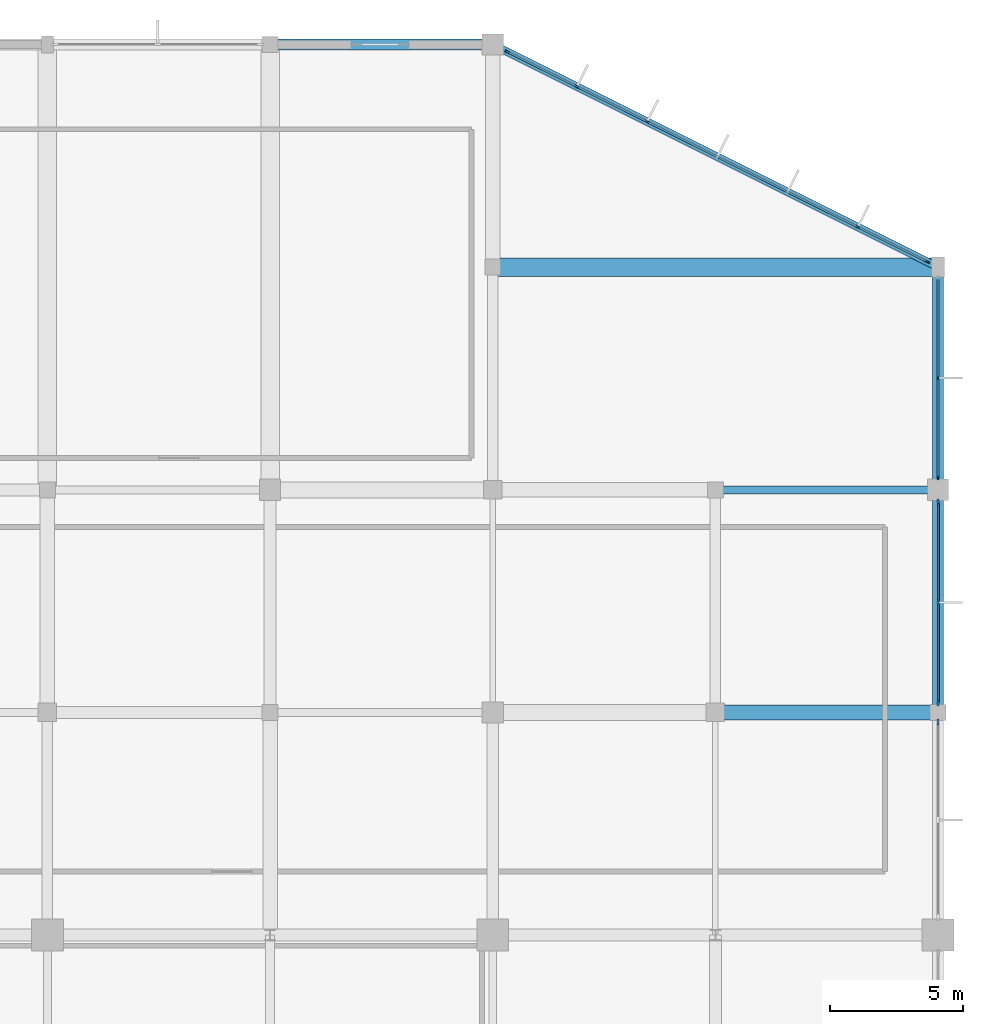
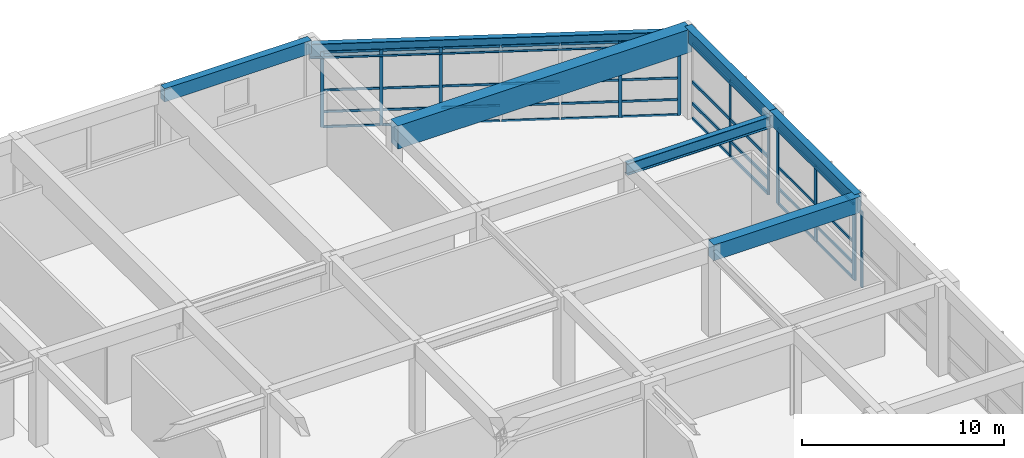
# One storey, part 35 of 62: 51 members, 7 beams, 4 elements without a shape of their own.
"""IFC4 building model written with IfcOpenShell, lengths in metres."""

from ifc_helpers import new_model, si_unit, direction, frame, origin, origin_2d, place, context, subcontext, project, spatial, rectangle, i_section, extrude, material, material_profile, profile_set, type_object, element, aggregate, save


model = new_model("IFC4")

# Units and contexts
model_context = context("Model", 3, precision=1e-05, world=origin(), true_north=direction((0.0, 1.0)))
body_context = subcontext(model_context, "Body", "Model", "MODEL_VIEW")
ifc_project = project(units=[si_unit("LENGTHUNIT", "METRE"), si_unit("AREAUNIT", "SQUARE_METRE"), si_unit("VOLUMEUNIT", "CUBIC_METRE"), si_unit("PLANEANGLEUNIT", "RADIAN"), si_unit("MASSUNIT", "GRAM", prefix="KILO")], contexts=[model_context])

# Site, building, storey
site_placement = place(None, origin())
site = spatial("IfcSite", under=ifc_project, at=site_placement, CompositionType="ELEMENT")
building_placement = place(site_placement, origin())
building = spatial("IfcBuilding", under=site, at=building_placement, Name="Xuanlan Plaza Opera House", CompositionType="ELEMENT")
storey_placement = place(building_placement, origin())
storey = spatial("IfcBuildingStorey", under=building, at=storey_placement, Name="L00", CompositionType="ELEMENT", Elevation=0.0)

# Curtain wall, members
ifc_material_1 = material(Name="Anodised Aluminium 6063-T6 and Low-E Glass", Category="aluminium")
curtain_wall_type_1 = type_object("IfcCurtainWallType", Name="ENV-CW-CW-03", PredefinedType="USERDEFINED", material=ifc_material_1)
curtain_wall_1_placement = place(storey_placement, origin())
curtain_wall_1 = element("IfcCurtainWall", 1, at=curtain_wall_1_placement, inside=storey, type_object=curtain_wall_type_1, Name="Unitised Curtain Wall L00-029", ObjectType="UNITISED CURTAIN WALL", PredefinedType="USERDEFINED")
ifc_material_2 = material(Name="Anodised Aluminium 6063-T6", Category="aluminium")
ifc_material_profile_1 = material_profile(ifc_material_2, rectangle(XDim=0.06494140625, YDim=0.159912109375, at=origin_2d()), Name="ALU-M 65x160")
ifc_profile_set_1 = profile_set([ifc_material_profile_1], Name="Anodised Aluminium 6063-T6")
member_type_1 = type_object("IfcMemberType", Name="ENV-CWM-01", PredefinedType="MULLION", material=ifc_profile_set_1)
member_1_placement = place(storey_placement, frame((168.0, 101.25244140625, 0.0), z_axis=(0.0, 0.0, 1.0), x_axis=(-1.0, 0.0, 0.0)))
member_1 = element("IfcMember", 2, at=member_1_placement, type_object=member_type_1, Name="CW-03 mullion 1", PredefinedType="MULLION", context=body_context, shape_type="SweptSolid", body=[
    extrude(rectangle(XDim=0.06494140625, YDim=0.159912109375, at=origin_2d()), origin(), (0.0, 0.0, 1.0), 4.580078125),
])
member_2_placement = place(storey_placement, frame((168.0, 105.012451171875, 0.0), z_axis=(0.0, 0.0, 1.0), x_axis=(-1.0, 0.0, 0.0)))
member_2 = element("IfcMember", 3, at=member_2_placement, type_object=member_type_1, Name="CW-03 mullion 2", PredefinedType="MULLION", context=body_context, shape_type="SweptSolid", body=[
    extrude(rectangle(XDim=0.06494140625, YDim=0.159912109375, at=origin_2d()), origin(), (0.0, 0.0, 1.0), 4.580078125),
])

curtain_wall_type_2 = type_object("IfcCurtainWallType", Name="ENV-CW-CW-04", PredefinedType="USERDEFINED", material=ifc_material_1)
curtain_wall_2_placement = place(storey_placement, origin())
curtain_wall_2 = element("IfcCurtainWall", 4, at=curtain_wall_2_placement, inside=storey, type_object=curtain_wall_type_2, Name="Unitised Curtain Wall L00-030", ObjectType="UNITISED CURTAIN WALL", PredefinedType="USERDEFINED")
ifc_material_profile_2 = material_profile(ifc_material_2, rectangle(XDim=0.070068359375, YDim=0.179931640625, at=origin_2d()), Name="ALU-M 70x180")
ifc_profile_set_2 = profile_set([ifc_material_profile_2], Name="Anodised Aluminium 6063-T6")
member_type_2 = type_object("IfcMemberType", Name="ENV-CWM-02", PredefinedType="MULLION", material=ifc_profile_set_2)
member_3_placement = place(storey_placement, frame((167.593505859375, 109.4033203125, 0.0), z_axis=(0.0, 0.0, 1.0), x_axis=(-0.447213595499, -0.894427191001, 0.0)))
member_3 = element("IfcMember", 5, at=member_3_placement, type_object=member_type_2, Name="CW-04 mullion 1", PredefinedType="MULLION", context=body_context, shape_type="SweptSolid", body=[
    extrude(rectangle(XDim=0.070068359375, YDim=0.179931640625, at=origin_2d()), origin(), (0.0, 0.0, 1.0), 4.580078125),
])
member_4_placement = place(storey_placement, frame((164.974853515625, 110.712646484375, 0.0), z_axis=(0.0, 0.0, 1.0), x_axis=(-0.447213595499, -0.894427191001, 0.0)))
member_4 = element("IfcMember", 6, at=member_4_placement, type_object=member_type_2, Name="CW-04 mullion 2", PredefinedType="MULLION", context=body_context, shape_type="SweptSolid", body=[
    extrude(rectangle(XDim=0.070068359375, YDim=0.179931640625, at=origin_2d()), origin(), (0.0, 0.0, 1.0), 4.580078125),
])
member_5_placement = place(storey_placement, frame((157.025146484375, 114.6875, 0.0), z_axis=(0.0, 0.0, 1.0), x_axis=(-0.447213595499, -0.894427191001, 0.0)))
member_5 = element("IfcMember", 7, at=member_5_placement, type_object=member_type_2, Name="CW-04 mullion 5", PredefinedType="MULLION", context=body_context, shape_type="SweptSolid", body=[
    extrude(rectangle(XDim=0.070068359375, YDim=0.179931640625, at=origin_2d()), origin(), (0.0, 0.0, 1.0), 4.580078125),
])
member_6_placement = place(storey_placement, frame((154.375244140625, 116.012451171875, 0.0), z_axis=(0.0, 0.0, 1.0), x_axis=(-0.447213595499, -0.894427191001, 0.0)))
member_6 = element("IfcMember", 8, at=member_6_placement, type_object=member_type_2, Name="CW-04 mullion 6", PredefinedType="MULLION", context=body_context, shape_type="SweptSolid", body=[
    extrude(rectangle(XDim=0.070068359375, YDim=0.179931640625, at=origin_2d()), origin(), (0.0, 0.0, 1.0), 4.580078125),
])
member_7_placement = place(storey_placement, frame((151.756591796875, 117.32177734375, 0.0), z_axis=(0.0, 0.0, 1.0), x_axis=(-0.447213595499, -0.894427191001, 0.0)))
member_7 = element("IfcMember", 9, at=member_7_placement, type_object=member_type_2, Name="CW-04 mullion 7", PredefinedType="MULLION", context=body_context, shape_type="SweptSolid", body=[
    extrude(rectangle(XDim=0.070068359375, YDim=0.179931640625, at=origin_2d()), origin(), (0.0, 0.0, 1.0), 4.580078125),
])

# Curtain wall, member
curtain_wall_type_3 = type_object("IfcCurtainWallType", Name="ENV-CW-CW-01", PredefinedType="USERDEFINED", material=ifc_material_1)
curtain_wall_3_placement = place(storey_placement, origin())
curtain_wall_3 = element("IfcCurtainWall", 10, at=curtain_wall_3_placement, inside=storey, type_object=curtain_wall_type_3, Name="Unitised Curtain Wall L00-027", ObjectType="UNITISED CURTAIN WALL", PredefinedType="USERDEFINED")
ifc_material_profile_3 = material_profile(ifc_material_2, rectangle(XDim=0.080078125, YDim=0.219970703125, at=origin_2d()), Name="ALU-M 80x220")
ifc_profile_set_3 = profile_set([ifc_material_profile_3], Name="Anodised Aluminium 6063-T6")
member_type_3 = type_object("IfcMemberType", Name="ENV-CWM-04", PredefinedType="MULLION", material=ifc_profile_set_3)
member_8_placement = place(storey_placement, frame((168.0, 92.0400390625, 0.0), z_axis=(0.0, 0.0, 1.0), x_axis=(-1.0, 0.0, 0.0)))
member_8 = element("IfcMember", 11, at=member_8_placement, type_object=member_type_3, Name="CW-01 mullion 3", PredefinedType="MULLION", context=body_context, shape_type="SweptSolid", body=[
    extrude(rectangle(XDim=0.080078125, YDim=0.219970703125, at=origin_2d()), origin(), (0.0, 0.0, 1.0), 4.580078125),
])
aggregate(curtain_wall_3, [member_8])

# Curtain wall, members
curtain_wall_type_4 = type_object("IfcCurtainWallType", Name="ENV-CW-CW-02", PredefinedType="USERDEFINED", material=ifc_material_1)
curtain_wall_4_placement = place(storey_placement, origin())
curtain_wall_4 = element("IfcCurtainWall", 12, at=curtain_wall_4_placement, inside=storey, type_object=curtain_wall_type_4, Name="Unitised Curtain Wall L00-028", ObjectType="UNITISED CURTAIN WALL", PredefinedType="USERDEFINED")
ifc_material_profile_4 = material_profile(ifc_material_2, rectangle(XDim=0.090087890625, YDim=0.25, at=origin_2d()), Name="ALU-M 90x250")
ifc_profile_set_4 = profile_set([ifc_material_profile_4], Name="Anodised Aluminium 6063-T6")
member_type_4 = type_object("IfcMemberType", Name="ENV-CWM-05", PredefinedType="MULLION", material=ifc_profile_set_4)
member_9_placement = place(storey_placement, frame((168.0, 92.764892578125, 0.0), z_axis=(0.0, 0.0, 1.0), x_axis=(-1.0, 0.0, 0.0)))
member_9 = element("IfcMember", 13, at=member_9_placement, type_object=member_type_4, Name="CW-02 mullion 1", PredefinedType="MULLION", context=body_context, shape_type="SweptSolid", body=[
    extrude(rectangle(XDim=0.090087890625, YDim=0.25, at=origin_2d()), origin(), (0.0, 0.0, 1.0), 4.580078125),
])
member_10_placement = place(storey_placement, frame((168.0, 96.550048828125, 0.0), z_axis=(0.0, 0.0, 1.0), x_axis=(-1.0, 0.0, 0.0)))
member_10 = element("IfcMember", 14, at=member_10_placement, type_object=member_type_4, Name="CW-02 mullion 2", PredefinedType="MULLION", context=body_context, shape_type="SweptSolid", body=[
    extrude(rectangle(XDim=0.090087890625, YDim=0.25, at=origin_2d()), origin(), (0.0, 0.0, 1.0), 4.580078125),
])
member_11_placement = place(storey_placement, frame((168.0, 100.3349609375, 0.0), z_axis=(0.0, 0.0, 1.0), x_axis=(-1.0, 0.0, 0.0)))
member_11 = element("IfcMember", 15, at=member_11_placement, type_object=member_type_4, Name="CW-02 mullion 3", PredefinedType="MULLION", context=body_context, shape_type="SweptSolid", body=[
    extrude(rectangle(XDim=0.090087890625, YDim=0.25, at=origin_2d()), origin(), (0.0, 0.0, 1.0), 4.580078125),
])

# Member
ifc_material_profile_5 = material_profile(ifc_material_2, rectangle(XDim=0.070068359375, YDim=0.135009765625, at=origin_2d()), Name="ALU-T 70x135")
ifc_profile_set_5 = profile_set([ifc_material_profile_5], Name="Anodised Aluminium 6063-T6")
member_type_5 = type_object("IfcMemberType", Name="ENV-CWT-02", PredefinedType="USERDEFINED", material=ifc_profile_set_5)
member_12_placement = place(storey_placement, frame((167.562255859375, 109.4189453125, 0.034912109375), z_axis=(-0.894427191, 0.4472135955, 0.0), x_axis=(-0.4472135955, -0.894427191, 0.0)))
member_12 = element("IfcMember", 16, at=member_12_placement, type_object=member_type_5, Name="CW-04 transom 1.1", ObjectType="TRANSOM", PredefinedType="USERDEFINED", context=body_context, shape_type="SweptSolid", body=[
    extrude(rectangle(XDim=0.070068359375, YDim=0.135009765625, at=origin_2d()), origin(), (0.0, 0.0, 1.0), 2.85791015625),
])

member_13_placement = place(storey_placement, frame((167.562255859375, 109.4189453125, 0.949951171875), z_axis=(-0.894427191, 0.4472135955, 0.0), x_axis=(-0.4472135955, -0.894427191, 0.0)))
member_13 = element("IfcMember", 17, at=member_13_placement, type_object=member_type_5, Name="CW-04 transom 1.2", ObjectType="TRANSOM", PredefinedType="USERDEFINED", context=body_context, shape_type="SweptSolid", body=[
    extrude(rectangle(XDim=0.070068359375, YDim=0.135009765625, at=origin_2d()), origin(), (0.0, 0.0, 1.0), 2.85791015625),
])

member_14_placement = place(storey_placement, frame((167.562255859375, 109.4189453125, 2.25), z_axis=(-0.894427191, 0.4472135955, 0.0), x_axis=(-0.4472135955, -0.894427191, 0.0)))
member_14 = element("IfcMember", 18, at=member_14_placement, type_object=member_type_5, Name="CW-04 transom 1.3", ObjectType="TRANSOM", PredefinedType="USERDEFINED", context=body_context, shape_type="SweptSolid", body=[
    extrude(rectangle(XDim=0.070068359375, YDim=0.135009765625, at=origin_2d()), origin(), (0.0, 0.0, 1.0), 2.85791015625),
])

member_15_placement = place(storey_placement, frame((167.562255859375, 109.4189453125, 4.544921875), z_axis=(-0.894427191, 0.4472135955, 0.0), x_axis=(-0.4472135955, -0.894427191, 0.0)))
member_15 = element("IfcMember", 19, at=member_15_placement, type_object=member_type_5, Name="CW-04 transom 1.4", ObjectType="TRANSOM", PredefinedType="USERDEFINED", context=body_context, shape_type="SweptSolid", body=[
    extrude(rectangle(XDim=0.070068359375, YDim=0.135009765625, at=origin_2d()), origin(), (0.0, 0.0, 1.0), 2.85791015625),
])

member_16_placement = place(storey_placement, frame((164.943603515625, 110.728271484375, 0.034912109375), z_axis=(-0.894427191, 0.4472135955, 0.0), x_axis=(-0.4472135955, -0.894427191, 0.0)))
member_16 = element("IfcMember", 20, at=member_16_placement, type_object=member_type_5, Name="CW-04 transom 2.1", ObjectType="TRANSOM", PredefinedType="USERDEFINED", context=body_context, shape_type="SweptSolid", body=[
    extrude(rectangle(XDim=0.070068359375, YDim=0.135009765625, at=origin_2d()), origin(), (0.0, 0.0, 1.0), 2.892822265625),
])

member_17_placement = place(storey_placement, frame((164.943603515625, 110.728271484375, 0.949951171875), z_axis=(-0.894427191, 0.4472135955, 0.0), x_axis=(-0.4472135955, -0.894427191, 0.0)))
member_17 = element("IfcMember", 21, at=member_17_placement, type_object=member_type_5, Name="CW-04 transom 2.2", ObjectType="TRANSOM", PredefinedType="USERDEFINED", context=body_context, shape_type="SweptSolid", body=[
    extrude(rectangle(XDim=0.070068359375, YDim=0.135009765625, at=origin_2d()), origin(), (0.0, 0.0, 1.0), 2.892822265625),
])

member_18_placement = place(storey_placement, frame((164.943603515625, 110.728271484375, 2.25), z_axis=(-0.894427191, 0.4472135955, 0.0), x_axis=(-0.4472135955, -0.894427191, 0.0)))
member_18 = element("IfcMember", 22, at=member_18_placement, type_object=member_type_5, Name="CW-04 transom 2.3", ObjectType="TRANSOM", PredefinedType="USERDEFINED", context=body_context, shape_type="SweptSolid", body=[
    extrude(rectangle(XDim=0.070068359375, YDim=0.135009765625, at=origin_2d()), origin(), (0.0, 0.0, 1.0), 2.892822265625),
])

member_19_placement = place(storey_placement, frame((164.943603515625, 110.728271484375, 4.544921875), z_axis=(-0.894427191, 0.4472135955, 0.0), x_axis=(-0.4472135955, -0.894427191, 0.0)))
member_19 = element("IfcMember", 23, at=member_19_placement, type_object=member_type_5, Name="CW-04 transom 2.4", ObjectType="TRANSOM", PredefinedType="USERDEFINED", context=body_context, shape_type="SweptSolid", body=[
    extrude(rectangle(XDim=0.070068359375, YDim=0.135009765625, at=origin_2d()), origin(), (0.0, 0.0, 1.0), 2.892822265625),
])

member_20_placement = place(storey_placement, frame((162.293701171875, 112.05322265625, 0.034912109375), z_axis=(-0.894427191, 0.4472135955, 0.0), x_axis=(-0.4472135955, -0.894427191, 0.0)))
member_20 = element("IfcMember", 24, at=member_20_placement, type_object=member_type_5, Name="CW-04 transom 3.1", ObjectType="TRANSOM", PredefinedType="USERDEFINED", context=body_context, shape_type="SweptSolid", body=[
    extrude(rectangle(XDim=0.070068359375, YDim=0.135009765625, at=origin_2d()), origin(), (0.0, 0.0, 1.0), 2.892822265625),
])

member_21_placement = place(storey_placement, frame((162.293701171875, 112.05322265625, 0.949951171875), z_axis=(-0.894427191, 0.4472135955, 0.0), x_axis=(-0.4472135955, -0.894427191, 0.0)))
member_21 = element("IfcMember", 25, at=member_21_placement, type_object=member_type_5, Name="CW-04 transom 3.2", ObjectType="TRANSOM", PredefinedType="USERDEFINED", context=body_context, shape_type="SweptSolid", body=[
    extrude(rectangle(XDim=0.070068359375, YDim=0.135009765625, at=origin_2d()), origin(), (0.0, 0.0, 1.0), 2.892822265625),
])

member_22_placement = place(storey_placement, frame((162.293701171875, 112.05322265625, 2.25), z_axis=(-0.894427191, 0.4472135955, 0.0), x_axis=(-0.4472135955, -0.894427191, 0.0)))
member_22 = element("IfcMember", 26, at=member_22_placement, type_object=member_type_5, Name="CW-04 transom 3.3", ObjectType="TRANSOM", PredefinedType="USERDEFINED", context=body_context, shape_type="SweptSolid", body=[
    extrude(rectangle(XDim=0.070068359375, YDim=0.135009765625, at=origin_2d()), origin(), (0.0, 0.0, 1.0), 2.892822265625),
])

member_23_placement = place(storey_placement, frame((162.293701171875, 112.05322265625, 4.544921875), z_axis=(-0.894427191, 0.4472135955, 0.0), x_axis=(-0.4472135955, -0.894427191, 0.0)))
member_23 = element("IfcMember", 27, at=member_23_placement, type_object=member_type_5, Name="CW-04 transom 3.4", ObjectType="TRANSOM", PredefinedType="USERDEFINED", context=body_context, shape_type="SweptSolid", body=[
    extrude(rectangle(XDim=0.070068359375, YDim=0.135009765625, at=origin_2d()), origin(), (0.0, 0.0, 1.0), 2.892822265625),
])

member_24_placement = place(storey_placement, frame((159.643798828125, 113.378173828125, 0.034912109375), z_axis=(-0.894427191, 0.4472135955, 0.0), x_axis=(-0.4472135955, -0.894427191, 0.0)))
member_24 = element("IfcMember", 28, at=member_24_placement, type_object=member_type_5, Name="CW-04 transom 4.1", ObjectType="TRANSOM", PredefinedType="USERDEFINED", context=body_context, shape_type="SweptSolid", body=[
    extrude(rectangle(XDim=0.070068359375, YDim=0.135009765625, at=origin_2d()), origin(), (0.0, 0.0, 1.0), 2.892822265625),
])

member_25_placement = place(storey_placement, frame((159.643798828125, 113.378173828125, 0.949951171875), z_axis=(-0.894427191, 0.4472135955, 0.0), x_axis=(-0.4472135955, -0.894427191, 0.0)))
member_25 = element("IfcMember", 29, at=member_25_placement, type_object=member_type_5, Name="CW-04 transom 4.2", ObjectType="TRANSOM", PredefinedType="USERDEFINED", context=body_context, shape_type="SweptSolid", body=[
    extrude(rectangle(XDim=0.070068359375, YDim=0.135009765625, at=origin_2d()), origin(), (0.0, 0.0, 1.0), 2.892822265625),
])

member_26_placement = place(storey_placement, frame((159.643798828125, 113.378173828125, 2.25), z_axis=(-0.894427191, 0.4472135955, 0.0), x_axis=(-0.4472135955, -0.894427191, 0.0)))
member_26 = element("IfcMember", 30, at=member_26_placement, type_object=member_type_5, Name="CW-04 transom 4.3", ObjectType="TRANSOM", PredefinedType="USERDEFINED", context=body_context, shape_type="SweptSolid", body=[
    extrude(rectangle(XDim=0.070068359375, YDim=0.135009765625, at=origin_2d()), origin(), (0.0, 0.0, 1.0), 2.892822265625),
])

member_27_placement = place(storey_placement, frame((159.643798828125, 113.378173828125, 4.544921875), z_axis=(-0.894427191, 0.4472135955, 0.0), x_axis=(-0.4472135955, -0.894427191, 0.0)))
member_27 = element("IfcMember", 31, at=member_27_placement, type_object=member_type_5, Name="CW-04 transom 4.4", ObjectType="TRANSOM", PredefinedType="USERDEFINED", context=body_context, shape_type="SweptSolid", body=[
    extrude(rectangle(XDim=0.070068359375, YDim=0.135009765625, at=origin_2d()), origin(), (0.0, 0.0, 1.0), 2.892822265625),
])

member_28_placement = place(storey_placement, frame((156.99365234375, 114.703125, 0.034912109375), z_axis=(-0.894410309919, 0.447247356069, 0.0), x_axis=(-0.447247356069, -0.894410309919, 0.0)))
member_28 = element("IfcMember", 32, at=member_28_placement, type_object=member_type_5, Name="CW-04 transom 5.1", ObjectType="TRANSOM", PredefinedType="USERDEFINED", context=body_context, shape_type="SweptSolid", body=[
    extrude(rectangle(XDim=0.070068359375, YDim=0.135009765625, at=origin_2d()), origin(), (0.0, 0.0, 1.0), 2.892578125),
])

member_29_placement = place(storey_placement, frame((156.99365234375, 114.703125, 0.949951171875), z_axis=(-0.894410309919, 0.447247356069, 0.0), x_axis=(-0.447247356069, -0.894410309919, 0.0)))
member_29 = element("IfcMember", 33, at=member_29_placement, type_object=member_type_5, Name="CW-04 transom 5.2", ObjectType="TRANSOM", PredefinedType="USERDEFINED", context=body_context, shape_type="SweptSolid", body=[
    extrude(rectangle(XDim=0.070068359375, YDim=0.135009765625, at=origin_2d()), origin(), (0.0, 0.0, 1.0), 2.892578125),
])

member_30_placement = place(storey_placement, frame((156.99365234375, 114.703125, 2.25), z_axis=(-0.894410309919, 0.447247356069, 0.0), x_axis=(-0.447247356069, -0.894410309919, 0.0)))
member_30 = element("IfcMember", 34, at=member_30_placement, type_object=member_type_5, Name="CW-04 transom 5.3", ObjectType="TRANSOM", PredefinedType="USERDEFINED", context=body_context, shape_type="SweptSolid", body=[
    extrude(rectangle(XDim=0.070068359375, YDim=0.135009765625, at=origin_2d()), origin(), (0.0, 0.0, 1.0), 2.892578125),
])

member_31_placement = place(storey_placement, frame((156.99365234375, 114.703125, 4.544921875), z_axis=(-0.894410309919, 0.447247356069, 0.0), x_axis=(-0.447247356069, -0.894410309919, 0.0)))
member_31 = element("IfcMember", 35, at=member_31_placement, type_object=member_type_5, Name="CW-04 transom 5.4", ObjectType="TRANSOM", PredefinedType="USERDEFINED", context=body_context, shape_type="SweptSolid", body=[
    extrude(rectangle(XDim=0.070068359375, YDim=0.135009765625, at=origin_2d()), origin(), (0.0, 0.0, 1.0), 2.892578125),
])

member_32_placement = place(storey_placement, frame((154.34375, 116.028076171875, 0.034912109375), z_axis=(-0.894410103517, 0.447247768833, 0.0), x_axis=(-0.447247768833, -0.894410103517, 0.0)))
member_32 = element("IfcMember", 36, at=member_32_placement, type_object=member_type_5, Name="CW-04 transom 6.1", ObjectType="TRANSOM", PredefinedType="USERDEFINED", context=body_context, shape_type="SweptSolid", body=[
    extrude(rectangle(XDim=0.070068359375, YDim=0.135009765625, at=origin_2d()), origin(), (0.0, 0.0, 1.0), 2.857666015625),
])

member_33_placement = place(storey_placement, frame((154.34375, 116.028076171875, 0.949951171875), z_axis=(-0.894410103517, 0.447247768833, 0.0), x_axis=(-0.447247768833, -0.894410103517, 0.0)))
member_33 = element("IfcMember", 37, at=member_33_placement, type_object=member_type_5, Name="CW-04 transom 6.2", ObjectType="TRANSOM", PredefinedType="USERDEFINED", context=body_context, shape_type="SweptSolid", body=[
    extrude(rectangle(XDim=0.070068359375, YDim=0.135009765625, at=origin_2d()), origin(), (0.0, 0.0, 1.0), 2.857666015625),
])

member_34_placement = place(storey_placement, frame((154.34375, 116.028076171875, 2.25), z_axis=(-0.894410103517, 0.447247768833, 0.0), x_axis=(-0.447247768833, -0.894410103517, 0.0)))
member_34 = element("IfcMember", 38, at=member_34_placement, type_object=member_type_5, Name="CW-04 transom 6.3", ObjectType="TRANSOM", PredefinedType="USERDEFINED", context=body_context, shape_type="SweptSolid", body=[
    extrude(rectangle(XDim=0.070068359375, YDim=0.135009765625, at=origin_2d()), origin(), (0.0, 0.0, 1.0), 2.857666015625),
])

member_35_placement = place(storey_placement, frame((154.34375, 116.028076171875, 4.544921875), z_axis=(-0.894410103517, 0.447247768833, 0.0), x_axis=(-0.447247768833, -0.894410103517, 0.0)))
member_35 = element("IfcMember", 39, at=member_35_placement, type_object=member_type_5, Name="CW-04 transom 6.4", ObjectType="TRANSOM", PredefinedType="USERDEFINED", context=body_context, shape_type="SweptSolid", body=[
    extrude(rectangle(XDim=0.070068359375, YDim=0.135009765625, at=origin_2d()), origin(), (0.0, 0.0, 1.0), 2.857666015625),
])

aggregate(curtain_wall_2, [member_3, member_4, member_5, member_6, member_7, member_12, member_13, member_14, member_15, member_16, member_17, member_18, member_19, member_20, member_21, member_22, member_23, member_24, member_25, member_26, member_27, member_28, member_29, member_30, member_31, member_32, member_33, member_34, member_35])

ifc_material_profile_6 = material_profile(ifc_material_2, rectangle(XDim=0.074951171875, YDim=0.14990234375, at=origin_2d()), Name="ALU-T 75x150")
ifc_profile_set_6 = profile_set([ifc_material_profile_6], Name="Anodised Aluminium 6063-T6")
member_type_6 = type_object("IfcMemberType", Name="ENV-CWT-03", PredefinedType="USERDEFINED", material=ifc_profile_set_6)
member_36_placement = place(storey_placement, frame((168.0, 92.81005859375, 0.03759765625), z_axis=(0.0, 1.0, 0.0), x_axis=(-1.0, 0.0, 0.0)))
member_36 = element("IfcMember", 40, at=member_36_placement, type_object=member_type_6, Name="CW-02 transom 1.1", ObjectType="TRANSOM", PredefinedType="USERDEFINED", context=body_context, shape_type="SweptSolid", body=[
    extrude(rectangle(XDim=0.074951171875, YDim=0.14990234375, at=origin_2d()), origin(), (0.0, 0.0, 1.0), 3.69482421875),
])

member_37_placement = place(storey_placement, frame((168.0, 92.81005859375, 0.949951171875), z_axis=(0.0, 1.0, 0.0), x_axis=(-1.0, 0.0, 0.0)))
member_37 = element("IfcMember", 41, at=member_37_placement, type_object=member_type_6, Name="CW-02 transom 1.2", ObjectType="TRANSOM", PredefinedType="USERDEFINED", context=body_context, shape_type="SweptSolid", body=[
    extrude(rectangle(XDim=0.074951171875, YDim=0.14990234375, at=origin_2d()), origin(), (0.0, 0.0, 1.0), 3.69482421875),
])

member_38_placement = place(storey_placement, frame((168.0, 92.81005859375, 2.25), z_axis=(0.0, 1.0, 0.0), x_axis=(-1.0, 0.0, 0.0)))
member_38 = element("IfcMember", 42, at=member_38_placement, type_object=member_type_6, Name="CW-02 transom 1.3", ObjectType="TRANSOM", PredefinedType="USERDEFINED", context=body_context, shape_type="SweptSolid", body=[
    extrude(rectangle(XDim=0.074951171875, YDim=0.14990234375, at=origin_2d()), origin(), (0.0, 0.0, 1.0), 3.69482421875),
])

member_39_placement = place(storey_placement, frame((168.0, 92.81005859375, 4.54248046875), z_axis=(0.0, 1.0, 0.0), x_axis=(-1.0, 0.0, 0.0)))
member_39 = element("IfcMember", 43, at=member_39_placement, type_object=member_type_6, Name="CW-02 transom 1.4", ObjectType="TRANSOM", PredefinedType="USERDEFINED", context=body_context, shape_type="SweptSolid", body=[
    extrude(rectangle(XDim=0.074951171875, YDim=0.14990234375, at=origin_2d()), origin(), (0.0, 0.0, 1.0), 3.69482421875),
])

member_40_placement = place(storey_placement, frame((168.0, 96.594970703125, 0.03759765625), z_axis=(0.0, 1.0, 0.0), x_axis=(-1.0, 0.0, 0.0)))
member_40 = element("IfcMember", 44, at=member_40_placement, type_object=member_type_6, Name="CW-02 transom 2.1", ObjectType="TRANSOM", PredefinedType="USERDEFINED", context=body_context, shape_type="SweptSolid", body=[
    extrude(rectangle(XDim=0.074951171875, YDim=0.14990234375, at=origin_2d()), origin(), (0.0, 0.0, 1.0), 3.695068359375),
])

member_41_placement = place(storey_placement, frame((168.0, 96.594970703125, 0.949951171875), z_axis=(0.0, 1.0, 0.0), x_axis=(-1.0, 0.0, 0.0)))
member_41 = element("IfcMember", 45, at=member_41_placement, type_object=member_type_6, Name="CW-02 transom 2.2", ObjectType="TRANSOM", PredefinedType="USERDEFINED", context=body_context, shape_type="SweptSolid", body=[
    extrude(rectangle(XDim=0.074951171875, YDim=0.14990234375, at=origin_2d()), origin(), (0.0, 0.0, 1.0), 3.695068359375),
])

member_42_placement = place(storey_placement, frame((168.0, 96.594970703125, 2.25), z_axis=(0.0, 1.0, 0.0), x_axis=(-1.0, 0.0, 0.0)))
member_42 = element("IfcMember", 46, at=member_42_placement, type_object=member_type_6, Name="CW-02 transom 2.3", ObjectType="TRANSOM", PredefinedType="USERDEFINED", context=body_context, shape_type="SweptSolid", body=[
    extrude(rectangle(XDim=0.074951171875, YDim=0.14990234375, at=origin_2d()), origin(), (0.0, 0.0, 1.0), 3.695068359375),
])

member_43_placement = place(storey_placement, frame((168.0, 96.594970703125, 4.54248046875), z_axis=(0.0, 1.0, 0.0), x_axis=(-1.0, 0.0, 0.0)))
member_43 = element("IfcMember", 47, at=member_43_placement, type_object=member_type_6, Name="CW-02 transom 2.4", ObjectType="TRANSOM", PredefinedType="USERDEFINED", context=body_context, shape_type="SweptSolid", body=[
    extrude(rectangle(XDim=0.074951171875, YDim=0.14990234375, at=origin_2d()), origin(), (0.0, 0.0, 1.0), 3.695068359375),
])

aggregate(curtain_wall_4, [member_9, member_10, member_11, member_36, member_37, member_38, member_39, member_40, member_41, member_42, member_43])

ifc_material_profile_7 = material_profile(ifc_material_2, rectangle(XDim=0.090087890625, YDim=0.179931640625, at=origin_2d()), Name="ALU-T 90x180")
ifc_profile_set_7 = profile_set([ifc_material_profile_7], Name="Anodised Aluminium 6063-T6")
member_type_7 = type_object("IfcMemberType", Name="ENV-CWT-05", PredefinedType="USERDEFINED", material=ifc_profile_set_7)
member_44_placement = place(storey_placement, frame((168.0, 101.284912109375, 0.044921875), z_axis=(0.0, 1.0, 0.0), x_axis=(-1.0, 0.0, 0.0)))
member_44 = element("IfcMember", 48, at=member_44_placement, type_object=member_type_7, Name="CW-03 transom 1.1", ObjectType="TRANSOM", PredefinedType="USERDEFINED", context=body_context, shape_type="SweptSolid", body=[
    extrude(rectangle(XDim=0.090087890625, YDim=0.179931640625, at=origin_2d()), origin(), (0.0, 0.0, 1.0), 3.695068359375),
])

member_45_placement = place(storey_placement, frame((168.0, 101.284912109375, 0.949951171875), z_axis=(0.0, 1.0, 0.0), x_axis=(-1.0, 0.0, 0.0)))
member_45 = element("IfcMember", 49, at=member_45_placement, type_object=member_type_7, Name="CW-03 transom 1.2", ObjectType="TRANSOM", PredefinedType="USERDEFINED", context=body_context, shape_type="SweptSolid", body=[
    extrude(rectangle(XDim=0.090087890625, YDim=0.179931640625, at=origin_2d()), origin(), (0.0, 0.0, 1.0), 3.695068359375),
])

member_46_placement = place(storey_placement, frame((168.0, 101.284912109375, 2.25), z_axis=(0.0, 1.0, 0.0), x_axis=(-1.0, 0.0, 0.0)))
member_46 = element("IfcMember", 50, at=member_46_placement, type_object=member_type_7, Name="CW-03 transom 1.3", ObjectType="TRANSOM", PredefinedType="USERDEFINED", context=body_context, shape_type="SweptSolid", body=[
    extrude(rectangle(XDim=0.090087890625, YDim=0.179931640625, at=origin_2d()), origin(), (0.0, 0.0, 1.0), 3.695068359375),
])

member_47_placement = place(storey_placement, frame((168.0, 101.284912109375, 4.534912109375), z_axis=(0.0, 1.0, 0.0), x_axis=(-1.0, 0.0, 0.0)))
member_47 = element("IfcMember", 51, at=member_47_placement, type_object=member_type_7, Name="CW-03 transom 1.4", ObjectType="TRANSOM", PredefinedType="USERDEFINED", context=body_context, shape_type="SweptSolid", body=[
    extrude(rectangle(XDim=0.090087890625, YDim=0.179931640625, at=origin_2d()), origin(), (0.0, 0.0, 1.0), 3.695068359375),
])

member_48_placement = place(storey_placement, frame((168.0, 105.044921875, 0.044921875), z_axis=(0.0, 1.0, 0.0), x_axis=(-1.0, 0.0, 0.0)))
member_48 = element("IfcMember", 52, at=member_48_placement, type_object=member_type_7, Name="CW-03 transom 2.1", ObjectType="TRANSOM", PredefinedType="USERDEFINED", context=body_context, shape_type="SweptSolid", body=[
    extrude(rectangle(XDim=0.090087890625, YDim=0.179931640625, at=origin_2d()), origin(), (0.0, 0.0, 1.0), 3.695068359375),
])

member_49_placement = place(storey_placement, frame((168.0, 105.044921875, 0.949951171875), z_axis=(0.0, 1.0, 0.0), x_axis=(-1.0, 0.0, 0.0)))
member_49 = element("IfcMember", 53, at=member_49_placement, type_object=member_type_7, Name="CW-03 transom 2.2", ObjectType="TRANSOM", PredefinedType="USERDEFINED", context=body_context, shape_type="SweptSolid", body=[
    extrude(rectangle(XDim=0.090087890625, YDim=0.179931640625, at=origin_2d()), origin(), (0.0, 0.0, 1.0), 3.695068359375),
])

member_50_placement = place(storey_placement, frame((168.0, 105.044921875, 2.25), z_axis=(0.0, 1.0, 0.0), x_axis=(-1.0, 0.0, 0.0)))
member_50 = element("IfcMember", 54, at=member_50_placement, type_object=member_type_7, Name="CW-03 transom 2.3", ObjectType="TRANSOM", PredefinedType="USERDEFINED", context=body_context, shape_type="SweptSolid", body=[
    extrude(rectangle(XDim=0.090087890625, YDim=0.179931640625, at=origin_2d()), origin(), (0.0, 0.0, 1.0), 3.695068359375),
])

member_51_placement = place(storey_placement, frame((168.0, 105.044921875, 4.534912109375), z_axis=(0.0, 1.0, 0.0), x_axis=(-1.0, 0.0, 0.0)))
member_51 = element("IfcMember", 55, at=member_51_placement, type_object=member_type_7, Name="CW-03 transom 2.4", ObjectType="TRANSOM", PredefinedType="USERDEFINED", context=body_context, shape_type="SweptSolid", body=[
    extrude(rectangle(XDim=0.090087890625, YDim=0.179931640625, at=origin_2d()), origin(), (0.0, 0.0, 1.0), 3.695068359375),
])

aggregate(curtain_wall_1, [member_1, member_2, member_44, member_45, member_46, member_47, member_48, member_49, member_50, member_51])

# Beams
ifc_material_3 = material(Name="Concrete C50", Category="concrete")
ifc_material_profile_8 = material_profile(ifc_material_3, rectangle(XDim=0.550048828125, YDim=0.949951171875, at=origin_2d()), Name="RC-BM 550x950")
ifc_profile_set_8 = profile_set([ifc_material_profile_8], Name="Concrete C50")
beam_type_1 = type_object("IfcBeamType", Name="STR-BM-B-02", PredefinedType="BEAM", material=ifc_profile_set_8)
beam_1_placement = place(storey_placement, frame((159.60009765625, 92.39990234375, 4.925048828125), z_axis=(1.0, 0.0, 0.0), x_axis=(0.0, 1.0, 0.0)))
element("IfcBeam", 56, at=beam_1_placement, inside=storey, type_object=beam_type_1, Name="Grid Beam X L00 20-21/L", PredefinedType="BEAM", context=body_context, shape_type="SweptSolid", body=[
    extrude(rectangle(XDim=0.550048828125, YDim=0.949951171875, at=origin_2d()), origin(), (0.0, 0.0, 1.0), 8.39990234375),
])
ifc_material_profile_9 = material_profile(ifc_material_3, rectangle(XDim=0.699951171875, YDim=1.39990234375, at=origin_2d()), Name="RC-LG 700x1400")
ifc_profile_set_9 = profile_set([ifc_material_profile_9], Name="Concrete C50")
beam_type_2 = type_object("IfcBeamType", Name="STR-BM-LG-01", PredefinedType="BEAM", material=ifc_profile_set_9)
beam_2_placement = place(storey_placement, frame((151.199951171875, 109.199951171875, 4.699951171875), z_axis=(1.0, 0.0, 0.0), x_axis=(0.0, 1.0, 0.0)))
element("IfcBeam", 57, at=beam_2_placement, inside=storey, type_object=beam_type_2, Name="Grid Beam X L00 19-21/N", PredefinedType="BEAM", context=body_context, shape_type="SweptSolid", body=[
    extrude(rectangle(XDim=0.699951171875, YDim=1.39990234375, at=origin_2d()), origin(), (0.0, 0.0, 1.0), 16.800048828125),
])
ifc_material_4 = material(Name="Steel Q355B", Category="steel")
ifc_material_profile_10 = material_profile(ifc_material_4, i_section(OverallWidth=0.300048828125, OverallDepth=0.699951171875, WebThickness=0.012939453125, FlangeThickness=0.02392578125, FilletRadius=0.02392578125, at=origin_2d()), Name="HN 700x300x13x24")
ifc_profile_set_10 = profile_set([ifc_material_profile_10], Name="Steel Q355B")
beam_type_3 = type_object("IfcBeamType", Name="STR-BM-SB-03", PredefinedType="BEAM", material=ifc_profile_set_10)
beam_3_placement = place(storey_placement, frame((159.60009765625, 100.800048828125, 4.784912109375), z_axis=(1.0, 0.0, 0.0), x_axis=(0.0, 1.0, 0.0)))
element("IfcBeam", 58, at=beam_3_placement, inside=storey, type_object=beam_type_3, Name="Grid Beam X L00 20-21/M", PredefinedType="BEAM", context=body_context, shape_type="SweptSolid", body=[
    extrude(i_section(OverallWidth=0.300048828125, OverallDepth=0.699951171875, WebThickness=0.012939453125, FlangeThickness=0.02392578125, FilletRadius=0.02392578125, at=origin_2d()), origin(), (0.0, 0.0, 1.0), 8.39990234375),
])
ifc_material_5 = material(Name="Concrete C40", Category="concrete")
ifc_material_profile_11 = material_profile(ifc_material_5, rectangle(XDim=0.39990234375, YDim=0.800048828125, at=origin_2d()), Name="RC-SPD 400x800")
ifc_profile_set_11 = profile_set([ifc_material_profile_11], Name="Concrete C40")
beam_type_4 = type_object("IfcBeamType", Name="STR-BM-SP-01", PredefinedType="SPANDREL", material=ifc_profile_set_11)
beam_4_placement = place(storey_placement, frame((142.800048828125, 117.60009765625, 5.0), z_axis=(1.0, 0.0, 0.0), x_axis=(0.0, 1.0, 0.0)))
element("IfcBeam", 59, at=beam_4_placement, inside=storey, type_object=beam_type_4, Name="Grid Beam X L00 18-19/O", PredefinedType="SPANDREL", context=body_context, shape_type="SweptSolid", body=[
    extrude(rectangle(XDim=0.39990234375, YDim=0.800048828125, at=origin_2d()), origin(), (0.0, 0.0, 1.0), 8.39990234375),
])
beam_5_placement = place(storey_placement, frame((168.0, 92.39990234375, 5.0), z_axis=(0.0, 1.0, 0.0), x_axis=(-1.0, 0.0, 0.0)))
element("IfcBeam", 60, at=beam_5_placement, inside=storey, type_object=beam_type_4, Name="Grid Beam Y L00 21/L-M", PredefinedType="SPANDREL", context=body_context, shape_type="SweptSolid", body=[
    extrude(rectangle(XDim=0.39990234375, YDim=0.800048828125, at=origin_2d()), origin(), (0.0, 0.0, 1.0), 8.400146484375),
])
beam_6_placement = place(storey_placement, frame((168.0, 100.800048828125, 5.0), z_axis=(0.0, 1.0, 0.0), x_axis=(-1.0, 0.0, 0.0)))
element("IfcBeam", 61, at=beam_6_placement, inside=storey, type_object=beam_type_4, Name="Grid Beam Y L00 21/M-N", PredefinedType="SPANDREL", context=body_context, shape_type="SweptSolid", body=[
    extrude(rectangle(XDim=0.39990234375, YDim=0.800048828125, at=origin_2d()), origin(), (0.0, 0.0, 1.0), 8.39990234375),
])
ifc_material_6 = material(Name="Steel Q390B", Category="steel")
ifc_material_profile_12 = material_profile(ifc_material_6, i_section(OverallWidth=0.300048828125, OverallDepth=0.89990234375, WebThickness=0.01611328125, FlangeThickness=0.028076171875, FilletRadius=0.028076171875, at=origin_2d()), Name="HN 900x300x16x28")
ifc_profile_set_12 = profile_set([ifc_material_profile_12], Name="Steel Q390B")
beam_type_5 = type_object("IfcBeamType", Name="STR-BM-SP-04", PredefinedType="SPANDREL", material=ifc_profile_set_12)
beam_7_placement = place(storey_placement, frame((151.199951171875, 117.60009765625, 4.68505859375), z_axis=(0.894424591405, -0.447218794653, 0.0), x_axis=(0.447218794653, 0.894424591405, 0.0)))
element("IfcBeam", 62, at=beam_7_placement, inside=storey, type_object=beam_type_5, Name="Faceted Edge Spandrel L00 CH13", PredefinedType="SPANDREL", context=body_context, shape_type="SweptSolid", body=[
    extrude(i_section(OverallWidth=0.300048828125, OverallDepth=0.89990234375, WebThickness=0.01611328125, FlangeThickness=0.028076171875, FilletRadius=0.028076171875, at=origin_2d()), origin(), (0.0, 0.0, 1.0), 18.782958984375),
])

save(model, "model.ifc")
